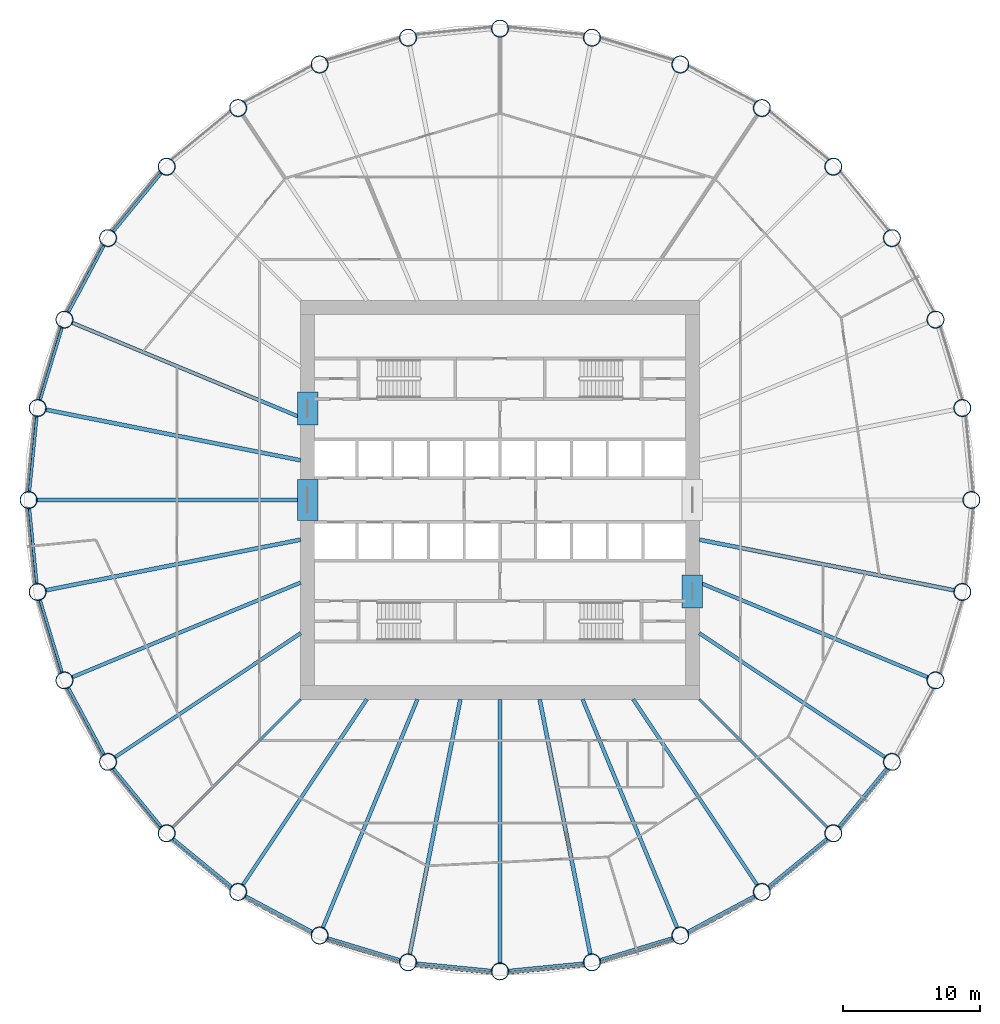
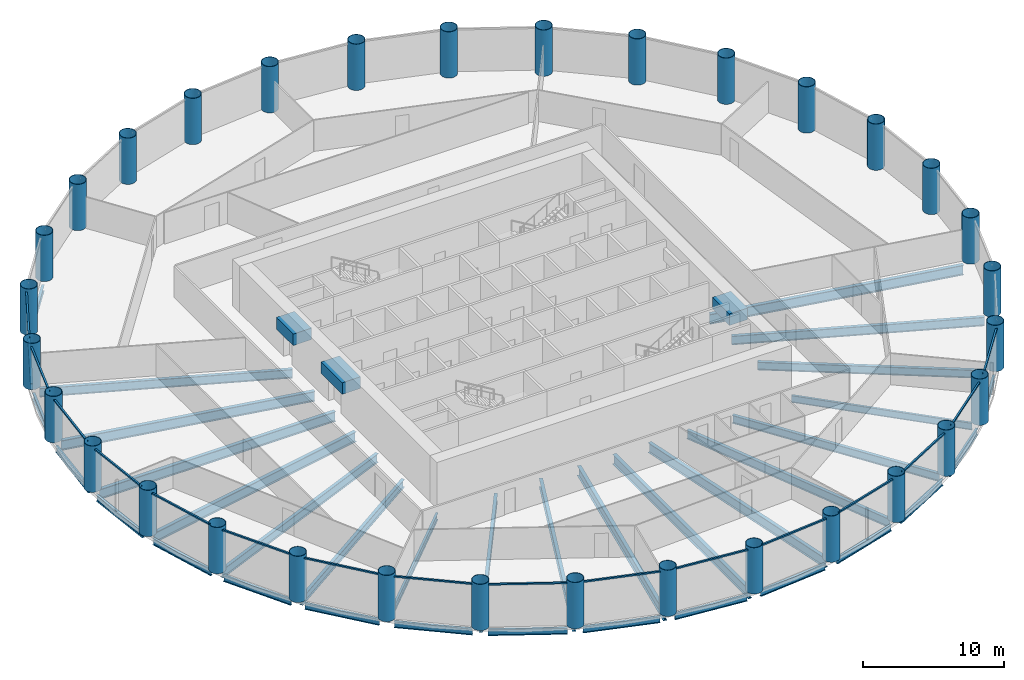
# One storey, part 1 of 8: 38 beams, 32 columns, 16 members, 16 elements without a shape of their own.
"""IFC4 building model written with IfcOpenShell, lengths in metres."""

from ifc_helpers import new_model, si_unit, direction, frame, origin, origin_2d, place, context, subcontext, project, spatial, rectangle, hollow_circle, i_section, extrude, material, material_profile, profile_set, type_object, element, aggregate, save


model = new_model("IFC4")

# Units and contexts
model_context = context("Model", 3, precision=1e-05, world=origin(), true_north=direction((0.0, 1.0)))
body_context = subcontext(model_context, "Body", "Model", "MODEL_VIEW")
ifc_project = project(units=[si_unit("LENGTHUNIT", "METRE"), si_unit("AREAUNIT", "SQUARE_METRE"), si_unit("VOLUMEUNIT", "CUBIC_METRE"), si_unit("PLANEANGLEUNIT", "RADIAN"), si_unit("MASSUNIT", "GRAM", prefix="KILO")], contexts=[model_context])

# Site, building, storey
site_placement = place(None, origin())
site = spatial("IfcSite", under=ifc_project, at=site_placement, CompositionType="ELEMENT")
building_placement = place(site_placement, origin())
building = spatial("IfcBuilding", under=site, at=building_placement, Name="Corvane Civic Tower", CompositionType="ELEMENT")
storey_placement = place(building_placement, frame((0.0, 0.0, 94.5)))
storey = spatial("IfcBuildingStorey", under=building, at=storey_placement, Name="L21", CompositionType="ELEMENT", Elevation=94.5)

# Columns
ifc_material_1 = material(Name="Steel ASTM A572 Gr 50", Category="steel")
ifc_material_profile_1 = material_profile(ifc_material_1, hollow_circle(Radius=0.625, WallThickness=0.035888671875, at=origin_2d()), Name="CHS1250X36")
ifc_profile_set_1 = profile_set([ifc_material_profile_1], Name="Steel ASTM A572 Gr 50")
column_type = type_object("IfcColumnType", Name="COMPOSITE COLUMN CHS1250X36", PredefinedType="COLUMN", material=ifc_profile_set_1)
for number, where, z_axis, x_axis, name in (
    (1, (0.0, 34.300048828125, 0.0), (0.0, 0.0, 1.0), (1.0, 0.0, 0.0), "COL-L21-B01"),
    (2, (6.691650390625, 33.640869140625, 0.0), (0.0, 0.0, 1.0), (1.0, 0.0, 0.0), "COL-L21-B02"),
    (3, (13.1259765625, 31.68896484375, 0.0), (0.0, 0.0, 1.0), (1.0, 0.0, 0.0), "COL-L21-B03"),
    (4, (19.05615234375, 28.519287109375, 0.0), (0.0, 0.0, 1.0), (1.0, 0.0, 0.0), "COL-L21-B04"),
    (5, (24.253662109375, 24.253662109375, 0.0), (0.0, 0.0, 1.0), (1.0, 0.0, 0.0), "COL-L21-B05"),
    (6, (28.519287109375, 19.05615234375, 0.0), (0.0, 0.0, 1.0), (1.0, 0.0, 0.0), "COL-L21-B06"),
    (7, (31.68896484375, 13.1259765625, 0.0), (0.0, 0.0, 1.0), (1.0, 0.0, 0.0), "COL-L21-B07"),
    (8, (33.640869140625, 6.691650390625, 0.0), (0.0, 0.0, 1.0), (1.0, 0.0, 0.0), "COL-L21-B08"),
    (9, (34.300048828125, 0.0, 0.0), (0.0, 0.0, 1.0), (1.0, 0.0, 0.0), "COL-L21-B09"),
    (10, (33.640869140625, -6.691650390625, 0.0), (0.0, 0.0, 1.0), (1.0, 0.0, 0.0), "COL-L21-B10"),
    (11, (31.68896484375, -13.1259765625, 0.0), (0.0, 0.0, 1.0), (1.0, 0.0, 0.0), "COL-L21-B11"),
    (12, (28.519287109375, -19.05615234375, 0.0), (0.0, 0.0, 1.0), (1.0, 0.0, 0.0), "COL-L21-B12"),
    (13, (24.253662109375, -24.253662109375, 0.0), (0.0, 0.0, 1.0), (1.0, 0.0, 0.0), "COL-L21-B13"),
    (14, (19.05615234375, -28.519287109375, 0.0), (0.0, 0.0, 1.0), (1.0, 0.0, 0.0), "COL-L21-B14"),
    (15, (13.1259765625, -31.68896484375, 0.0), (0.0, 0.0, 1.0), (1.0, 0.0, 0.0), "COL-L21-B15"),
    (16, (6.691650390625, -33.640869140625, 0.0), (0.0, 0.0, 1.0), (1.0, 0.0, 0.0), "COL-L21-B16"),
    (17, (0.0, -34.300048828125, 0.0), (0.0, 0.0, 1.0), (1.0, 0.0, 0.0), "COL-L21-B17"),
    (18, (-6.691650390625, -33.640869140625, 0.0), (0.0, 0.0, 1.0), (1.0, 0.0, 0.0), "COL-L21-B18"),
    (19, (-13.1259765625, -31.68896484375, 0.0), (0.0, 0.0, 1.0), (1.0, 0.0, 0.0), "COL-L21-B19"),
    (20, (-19.05615234375, -28.519287109375, 0.0), (0.0, 0.0, 1.0), (1.0, 0.0, 0.0), "COL-L21-B20"),
    (21, (-24.253662109375, -24.253662109375, 0.0), (0.0, 0.0, 1.0), (1.0, 0.0, 0.0), "COL-L21-B21"),
    (22, (-28.519287109375, -19.05615234375, 0.0), (0.0, 0.0, 1.0), (1.0, 0.0, 0.0), "COL-L21-B22"),
    (23, (-31.68896484375, -13.1259765625, 0.0), (0.0, 0.0, 1.0), (1.0, 0.0, 0.0), "COL-L21-B23"),
    (24, (-33.640869140625, -6.691650390625, 0.0), (0.0, 0.0, 1.0), (1.0, 0.0, 0.0), "COL-L21-B24"),
    (25, (-34.300048828125, 0.0, 0.0), (0.0, 0.0, 1.0), (1.0, 0.0, 0.0), "COL-L21-B25"),
    (26, (-33.640869140625, 6.691650390625, 0.0), (0.0, 0.0, 1.0), (1.0, 0.0, 0.0), "COL-L21-B26"),
    (27, (-31.68896484375, 13.1259765625, 0.0), (0.0, 0.0, 1.0), (1.0, 0.0, 0.0), "COL-L21-B27"),
    (28, (-28.519287109375, 19.05615234375, 0.0), (0.0, 0.0, 1.0), (1.0, 0.0, 0.0), "COL-L21-B28"),
    (29, (-24.253662109375, 24.253662109375, 0.0), (0.0, 0.0, 1.0), (1.0, 0.0, 0.0), "COL-L21-B29"),
    (30, (-19.05615234375, 28.519287109375, 0.0), (0.0, 0.0, 1.0), (1.0, 0.0, 0.0), "COL-L21-B30"),
    (31, (-13.1259765625, 31.68896484375, 0.0), (0.0, 0.0, 1.0), (1.0, 0.0, 0.0), "COL-L21-B31"),
    (32, (-6.691650390625, 33.640869140625, 0.0), (0.0, 0.0, 1.0), (1.0, 0.0, 0.0), "COL-L21-B32"),
):
    element("IfcColumn", number, at=place(storey_placement, frame(where, z_axis=z_axis, x_axis=x_axis)), inside=storey, type_object=column_type, Name=name, PredefinedType="COLUMN", context=body_context, shape_type="SweptSolid", body=[
        extrude(hollow_circle(Radius=0.625, WallThickness=0.035888671875, at=origin_2d()), origin(), (0.0, 0.0, 1.0), 4.0),
    ])

# Beams
ifc_material_2 = material(Name="Concrete C70/85", Category="concrete")
ifc_material_profile_2 = material_profile(ifc_material_2, rectangle(XDim=1.5, YDim=1.0, at=origin_2d()), Name="COUPLING BEAM 1500X1000")
ifc_profile_set_2 = profile_set([ifc_material_profile_2], Name="Concrete C70/85")
beam_type_1 = type_object("IfcBeamType", Name="COUPLING BEAM COUPLING BEAM 1500X1000", PredefinedType="BEAM", material=ifc_profile_set_2)
beam_1_placement = place(storey_placement, frame((-14.0, -1.5, 2.60009765625), z_axis=(0.0, 1.0, 0.0), x_axis=(-1.0, 0.0, 0.0)))
element("IfcBeam", 33, at=beam_1_placement, inside=storey, type_object=beam_type_1, Name="BM-L21-cpl-CW-LW", PredefinedType="BEAM", context=body_context, shape_type="SweptSolid", body=[
    extrude(rectangle(XDim=1.5, YDim=1.0, at=origin_2d()), origin(), (0.0, 0.0, 1.0), 3.0),
])
for number, where, z_axis, x_axis, name in (
    (34, (-14.0, 5.449951171875, 2.60009765625), (0.0, 1.0, 0.0), (-1.0, 0.0, 0.0), "BM-L21-cpl-CW-WN"),
    (35, (14.0, -7.85009765625, 2.60009765625), (0.0, 1.0, 0.0), (-1.0, 0.0, 0.0), "BM-L21-cpl-CW-ES"),
):
    element("IfcBeam", number, at=place(storey_placement, frame(where, z_axis=z_axis, x_axis=x_axis)), inside=storey, type_object=beam_type_1, Name=name, PredefinedType="BEAM", context=body_context, shape_type="SweptSolid", body=[
        extrude(rectangle(XDim=1.5, YDim=1.0, at=origin_2d()), origin(), (0.0, 0.0, 1.0), 2.400146484375),
    ])
ifc_material_3 = material(Name="Steel ASTM A992 Gr 50", Category="steel")
ifc_material_profile_3 = material_profile(ifc_material_3, i_section(OverallWidth=0.209228515625, OverallDepth=0.533447265625, WebThickness=0.01025390625, FlangeThickness=0.015625, at=origin_2d()), Name="W21X62")
ifc_profile_set_3 = profile_set([ifc_material_profile_3], Name="Steel ASTM A992 Gr 50")
beam_type_2 = type_object("IfcBeamType", Name="EDGE BEAM W21X62", PredefinedType="BEAM", material=ifc_profile_set_3)
for number, where, z_axis, x_axis, name in (
    (36, (28.17041015625, -19.481201171875, -0.566650390625), (-0.634397765782, -0.773006775372, 0.0), (0.773006775372, -0.634397765782, 0.0), "BM-L21-E12"),
    (37, (23.82861328125, -24.6025390625, -0.566650390625), (-0.773006775372, -0.634397765782, 0.0), (0.634397765782, -0.773006775372, 0.0), "BM-L21-E13"),
    (38, (18.571044921875, -28.778564453125, -0.566650390625), (-0.88192357867, -0.471392407008, 0.0), (0.471392407008, -0.88192357867, 0.0), "BM-L21-E14"),
):
    element("IfcBeam", number, at=place(storey_placement, frame(where, z_axis=z_axis, x_axis=x_axis)), inside=storey, type_object=beam_type_2, Name=name, PredefinedType="BEAM", context=body_context, shape_type="SweptSolid", body=[
        extrude(i_section(OverallWidth=0.209228515625, OverallDepth=0.533447265625, WebThickness=0.01025390625, FlangeThickness=0.015625, at=origin_2d()), origin(), (0.0, 0.0, 1.0), 5.6240234375),
    ])
beam_2_placement = place(storey_placement, frame((12.599609375, -31.8486328125, -0.566650390625), z_axis=(-0.956936367498, -0.290297758448, 0.0), x_axis=(0.290297758448, -0.956936367498, 0.0)))
element("IfcBeam", 39, at=beam_2_placement, inside=storey, type_object=beam_type_2, Name="BM-L21-E15", PredefinedType="BEAM", context=body_context, shape_type="SweptSolid", body=[
    extrude(i_section(OverallWidth=0.209228515625, OverallDepth=0.533447265625, WebThickness=0.01025390625, FlangeThickness=0.015625, at=origin_2d()), origin(), (0.0, 0.0, 1.0), 5.623779296875),
])
for number, where, z_axis, x_axis, name in (
    (40, (6.144287109375, -33.69482421875, -0.566650390625), (-0.995184368522, -0.098020776625, 0.0), (0.098020776625, -0.995184368522, 0.0), "BM-L21-E16"),
    (41, (-0.54736328125, -34.24609375, -0.566650390625), (-0.995184368522, 0.098020776625, 0.0), (-0.098020776625, -0.995184368522, 0.0), "BM-L21-E17"),
):
    element("IfcBeam", number, at=place(storey_placement, frame(where, z_axis=z_axis, x_axis=x_axis)), inside=storey, type_object=beam_type_2, Name=name, PredefinedType="BEAM", context=body_context, shape_type="SweptSolid", body=[
        extrude(i_section(OverallWidth=0.209228515625, OverallDepth=0.533447265625, WebThickness=0.01025390625, FlangeThickness=0.015625, at=origin_2d()), origin(), (0.0, 0.0, 1.0), 5.6240234375),
    ])
beam_3_placement = place(storey_placement, frame((-7.218017578125, -33.481201171875, -0.566650390625), z_axis=(-0.956936367498, 0.290297758448, 0.0), x_axis=(-0.290297758448, -0.956936367498, 0.0)))
element("IfcBeam", 42, at=beam_3_placement, inside=storey, type_object=beam_type_2, Name="BM-L21-E18", PredefinedType="BEAM", context=body_context, shape_type="SweptSolid", body=[
    extrude(i_section(OverallWidth=0.209228515625, OverallDepth=0.533447265625, WebThickness=0.01025390625, FlangeThickness=0.015625, at=origin_2d()), origin(), (0.0, 0.0, 1.0), 5.623779296875),
])
for number, where, z_axis, x_axis, name in (
    (43, (-13.611083984375, -31.4296875, -0.566650390625), (-0.88192357867, 0.471392407008, 0.0), (-0.471392407008, -0.88192357867, 0.0), "BM-L21-E19"),
    (44, (-19.481201171875, -28.17041015625, -0.566650390625), (-0.773006775372, 0.634397765782, 0.0), (-0.634397765782, -0.773006775372, 0.0), "BM-L21-E20"),
    (45, (-24.6025390625, -23.82861328125, -0.566650390625), (-0.634397765782, 0.773006775372, 0.0), (-0.773006775372, -0.634397765782, 0.0), "BM-L21-E21"),
    (46, (-28.778564453125, -18.571044921875, -0.566650390625), (-0.471392407008, 0.88192357867, 0.0), (-0.88192357867, -0.471392407008, 0.0), "BM-L21-E22"),
):
    element("IfcBeam", number, at=place(storey_placement, frame(where, z_axis=z_axis, x_axis=x_axis)), inside=storey, type_object=beam_type_2, Name=name, PredefinedType="BEAM", context=body_context, shape_type="SweptSolid", body=[
        extrude(i_section(OverallWidth=0.209228515625, OverallDepth=0.533447265625, WebThickness=0.01025390625, FlangeThickness=0.015625, at=origin_2d()), origin(), (0.0, 0.0, 1.0), 5.6240234375),
    ])
beam_4_placement = place(storey_placement, frame((-31.8486328125, -12.599609375, -0.566650390625), z_axis=(-0.290297758448, 0.956936367498, 0.0), x_axis=(-0.956936367498, -0.290297758448, 0.0)))
element("IfcBeam", 47, at=beam_4_placement, inside=storey, type_object=beam_type_2, Name="BM-L21-E23", PredefinedType="BEAM", context=body_context, shape_type="SweptSolid", body=[
    extrude(i_section(OverallWidth=0.209228515625, OverallDepth=0.533447265625, WebThickness=0.01025390625, FlangeThickness=0.015625, at=origin_2d()), origin(), (0.0, 0.0, 1.0), 5.623779296875),
])
for number, where, z_axis, x_axis, name in (
    (48, (-33.69482421875, -6.144287109375, -0.566650390625), (-0.098020776625, 0.995184368522, 0.0), (-0.995184368522, -0.098020776625, 0.0), "BM-L21-E24"),
    (49, (-34.24609375, 0.54736328125, -0.566650390625), (0.098020776625, 0.995184368522, 0.0), (-0.995184368522, 0.098020776625, 0.0), "BM-L21-E25"),
):
    element("IfcBeam", number, at=place(storey_placement, frame(where, z_axis=z_axis, x_axis=x_axis)), inside=storey, type_object=beam_type_2, Name=name, PredefinedType="BEAM", context=body_context, shape_type="SweptSolid", body=[
        extrude(i_section(OverallWidth=0.209228515625, OverallDepth=0.533447265625, WebThickness=0.01025390625, FlangeThickness=0.015625, at=origin_2d()), origin(), (0.0, 0.0, 1.0), 5.6240234375),
    ])
beam_5_placement = place(storey_placement, frame((-33.481201171875, 7.218017578125, -0.566650390625), z_axis=(0.290297758448, 0.956936367498, 0.0), x_axis=(-0.956936367498, 0.290297758448, 0.0)))
element("IfcBeam", 50, at=beam_5_placement, inside=storey, type_object=beam_type_2, Name="BM-L21-E26", PredefinedType="BEAM", context=body_context, shape_type="SweptSolid", body=[
    extrude(i_section(OverallWidth=0.209228515625, OverallDepth=0.533447265625, WebThickness=0.01025390625, FlangeThickness=0.015625, at=origin_2d()), origin(), (0.0, 0.0, 1.0), 5.623779296875),
])
for number, where, z_axis, x_axis, name in (
    (51, (-31.4296875, 13.611083984375, -0.566650390625), (0.471392407008, 0.88192357867, 0.0), (-0.88192357867, 0.471392407008, 0.0), "BM-L21-E27"),
    (52, (-28.17041015625, 19.481201171875, -0.566650390625), (0.634397765782, 0.773006775372, 0.0), (-0.773006775372, 0.634397765782, 0.0), "BM-L21-E28"),
):
    element("IfcBeam", number, at=place(storey_placement, frame(where, z_axis=z_axis, x_axis=x_axis)), inside=storey, type_object=beam_type_2, Name=name, PredefinedType="BEAM", context=body_context, shape_type="SweptSolid", body=[
        extrude(i_section(OverallWidth=0.209228515625, OverallDepth=0.533447265625, WebThickness=0.01025390625, FlangeThickness=0.015625, at=origin_2d()), origin(), (0.0, 0.0, 1.0), 5.6240234375),
    ])
ifc_material_4 = material(Name="Steel ASTM A992 Gr 50", Category="steel")
ifc_material_profile_4 = material_profile(ifc_material_4, i_section(OverallWidth=0.177978515625, OverallDepth=0.599365234375, WebThickness=0.010009765625, FlangeThickness=0.012939453125, at=origin_2d()), Name="W24X55")
ifc_profile_set_4 = profile_set([ifc_material_profile_4], Name="Steel ASTM A992 Gr 50")
beam_type_3 = type_object("IfcBeamType", Name="FLOOR GIRDER W24X55", PredefinedType="BEAM", material=ifc_profile_set_4)
for number, where, z_axis, x_axis, name in (
    (53, (14.5, -14.5, -0.599609375), (0.707106781187, -0.707106781187, 0.0), (0.707106781187, 0.707106781187, 0.0), "BM-L21-G13"),
    (54, (-14.5, -14.5, -0.599609375), (-0.707106781187, -0.707106781187, 0.0), (0.707106781187, -0.707106781187, 0.0), "BM-L21-G21"),
):
    element("IfcBeam", number, at=place(storey_placement, frame(where, z_axis=z_axis, x_axis=x_axis)), inside=storey, type_object=beam_type_3, Name=name, PredefinedType="BEAM", context=body_context, shape_type="SweptSolid", body=[
        extrude(i_section(OverallWidth=0.177978515625, OverallDepth=0.599365234375, WebThickness=0.010009765625, FlangeThickness=0.012939453125, at=origin_2d()), origin(), (0.0, 0.0, 1.0), 13.24365234375),
    ])
ifc_material_5 = material(Name="Steel ASTM A992 Gr 50", Category="steel")
ifc_material_profile_5 = material_profile(ifc_material_5, i_section(OverallWidth=0.256591796875, OverallDepth=0.693359375, WebThickness=0.014404296875, FlangeThickness=0.023681640625, at=origin_2d()), Name="W27X114")
ifc_profile_set_5 = profile_set([ifc_material_profile_5], Name="Steel ASTM A992 Gr 50")
beam_type_4 = type_object("IfcBeamType", Name="FLOOR GIRDER W27X114", PredefinedType="BEAM", material=ifc_profile_set_5)
for number, where, z_axis, x_axis, name in (
    (55, (14.5, -9.6884765625, -0.646728515625), (0.83146493365, -0.555577235054, 0.0), (0.555577235054, 0.83146493365, 0.0), "BM-L21-G12"),
    (56, (9.6884765625, -14.5, -0.646728515625), (0.555577235054, -0.83146493365, 0.0), (0.83146493365, 0.555577235054, 0.0), "BM-L21-G14"),
    (57, (-9.6884765625, -14.5, -0.646728515625), (-0.555577235054, -0.83146493365, 0.0), (0.83146493365, -0.555577235054, 0.0), "BM-L21-G20"),
    (58, (-14.5, -9.6884765625, -0.646728515625), (-0.83146493365, -0.555577235054, 0.0), (0.555577235054, -0.83146493365, 0.0), "BM-L21-G22"),
):
    element("IfcBeam", number, at=place(storey_placement, frame(where, z_axis=z_axis, x_axis=x_axis)), inside=storey, type_object=beam_type_4, Name=name, PredefinedType="BEAM", context=body_context, shape_type="SweptSolid", body=[
        extrude(i_section(OverallWidth=0.256591796875, OverallDepth=0.693359375, WebThickness=0.014404296875, FlangeThickness=0.023681640625, at=origin_2d()), origin(), (0.0, 0.0, 1.0), 16.31103515625),
    ])
ifc_material_6 = material(Name="Steel ASTM A992 Gr 50", Category="steel")
ifc_material_profile_6 = material_profile(ifc_material_6, i_section(OverallWidth=0.2666015625, OverallDepth=0.7568359375, WebThickness=0.013916015625, FlangeThickness=0.019287109375, at=origin_2d()), Name="W30X108")
ifc_profile_set_6 = profile_set([ifc_material_profile_6], Name="Steel ASTM A992 Gr 50")
beam_type_5 = type_object("IfcBeamType", Name="FLOOR GIRDER W30X108", PredefinedType="BEAM", material=ifc_profile_set_6)
for number, where, z_axis, x_axis, name in (
    (59, (14.5, -6.006103515625, -0.678466796875), (0.923880209691, -0.382681797504, 0.0), (0.382681797504, 0.923880209691, 0.0), "BM-L21-G11"),
    (60, (6.006103515625, -14.5, -0.678466796875), (0.382681797504, -0.923880209691, 0.0), (0.923880209691, 0.382681797504, 0.0), "BM-L21-G15"),
    (61, (-6.006103515625, -14.5, -0.678466796875), (-0.382681797504, -0.923880209691, 0.0), (0.923880209691, -0.382681797504, 0.0), "BM-L21-G19"),
    (62, (-14.5, -6.006103515625, -0.678466796875), (-0.923880209691, -0.382681797504, 0.0), (0.382681797504, -0.923880209691, 0.0), "BM-L21-G23"),
    (63, (-14.5, 6.006103515625, -0.678466796875), (-0.923880209691, 0.382681797504, 0.0), (-0.382681797504, -0.923880209691, 0.0), "BM-L21-G27"),
):
    element("IfcBeam", number, at=place(storey_placement, frame(where, z_axis=z_axis, x_axis=x_axis)), inside=storey, type_object=beam_type_5, Name=name, PredefinedType="BEAM", context=body_context, shape_type="SweptSolid", body=[
        extrude(i_section(OverallWidth=0.2666015625, OverallDepth=0.7568359375, WebThickness=0.013916015625, FlangeThickness=0.019287109375, at=origin_2d()), origin(), (0.0, 0.0, 1.0), 18.05517578125),
    ])
ifc_material_7 = material(Name="Steel ASTM A992 Gr 50", Category="steel")
ifc_material_profile_7 = material_profile(ifc_material_7, i_section(OverallWidth=0.2919921875, OverallDepth=0.8583984375, WebThickness=0.01708984375, FlangeThickness=0.031005859375, at=origin_2d()), Name="W33X169")
ifc_profile_set_7 = profile_set([ifc_material_profile_7], Name="Steel ASTM A992 Gr 50")
beam_type_6 = type_object("IfcBeamType", Name="FLOOR GIRDER W33X169", PredefinedType="BEAM", material=ifc_profile_set_7)
for number, where, z_axis, x_axis, name in (
    (64, (14.5, -2.88427734375, -0.729248046875), (0.9807865885, -0.195083745652, 0.0), (0.195083745652, 0.9807865885, 0.0), "BM-L21-G10"),
    (65, (2.88427734375, -14.5, -0.729248046875), (0.195083745652, -0.9807865885, 0.0), (0.9807865885, 0.195083745652, 0.0), "BM-L21-G16"),
):
    element("IfcBeam", number, at=place(storey_placement, frame(where, z_axis=z_axis, x_axis=x_axis)), inside=storey, type_object=beam_type_6, Name=name, PredefinedType="BEAM", context=body_context, shape_type="SweptSolid", body=[
        extrude(i_section(OverallWidth=0.2919921875, OverallDepth=0.8583984375, WebThickness=0.01708984375, FlangeThickness=0.031005859375, at=origin_2d()), origin(), (0.0, 0.0, 1.0), 18.966064453125),
    ])
beam_6_placement = place(storey_placement, frame((0.0, -14.5, -0.729248046875), z_axis=(0.0, -1.0, 0.0), x_axis=(1.0, 0.0, 0.0)))
element("IfcBeam", 66, at=beam_6_placement, inside=storey, type_object=beam_type_6, Name="BM-L21-G17", PredefinedType="BEAM", context=body_context, shape_type="SweptSolid", body=[
    extrude(i_section(OverallWidth=0.2919921875, OverallDepth=0.8583984375, WebThickness=0.01708984375, FlangeThickness=0.031005859375, at=origin_2d()), origin(), (0.0, 0.0, 1.0), 19.25),
])
for number, where, z_axis, x_axis, name in (
    (67, (-2.88427734375, -14.5, -0.729248046875), (-0.195083745652, -0.9807865885, 0.0), (0.9807865885, -0.195083745652, 0.0), "BM-L21-G18"),
    (68, (-14.5, -2.88427734375, -0.729248046875), (-0.9807865885, -0.195083745652, 0.0), (0.195083745652, -0.9807865885, 0.0), "BM-L21-G24"),
):
    element("IfcBeam", number, at=place(storey_placement, frame(where, z_axis=z_axis, x_axis=x_axis)), inside=storey, type_object=beam_type_6, Name=name, PredefinedType="BEAM", context=body_context, shape_type="SweptSolid", body=[
        extrude(i_section(OverallWidth=0.2919921875, OverallDepth=0.8583984375, WebThickness=0.01708984375, FlangeThickness=0.031005859375, at=origin_2d()), origin(), (0.0, 0.0, 1.0), 18.966064453125),
    ])
beam_7_placement = place(storey_placement, frame((-14.5, 0.0, -0.729248046875), z_axis=(-1.0, 0.0, 0.0), x_axis=(0.0, -1.0, 0.0)))
element("IfcBeam", 69, at=beam_7_placement, inside=storey, type_object=beam_type_6, Name="BM-L21-G25", PredefinedType="BEAM", context=body_context, shape_type="SweptSolid", body=[
    extrude(i_section(OverallWidth=0.2919921875, OverallDepth=0.8583984375, WebThickness=0.01708984375, FlangeThickness=0.031005859375, at=origin_2d()), origin(), (0.0, 0.0, 1.0), 19.25),
])
beam_8_placement = place(storey_placement, frame((-14.5, 2.88427734375, -0.729248046875), z_axis=(-0.9807865885, 0.195083745652, 0.0), x_axis=(-0.195083745652, -0.9807865885, 0.0)))
element("IfcBeam", 70, at=beam_8_placement, inside=storey, type_object=beam_type_6, Name="BM-L21-G26", PredefinedType="BEAM", context=body_context, shape_type="SweptSolid", body=[
    extrude(i_section(OverallWidth=0.2919921875, OverallDepth=0.8583984375, WebThickness=0.01708984375, FlangeThickness=0.031005859375, at=origin_2d()), origin(), (0.0, 0.0, 1.0), 18.966064453125),
])

# Curtain wall, member
ifc_material_8 = material(Name="Anodised aluminium bronze", Category="aluminium")
curtain_wall_type = type_object("IfcCurtainWallType", Name="TOWER CW-T1 STICK CURTAIN WALL", PredefinedType="NOTDEFINED", material=ifc_material_8)
curtain_wall_1_placement = place(storey_placement, origin())
curtain_wall_1 = element("IfcCurtainWall", 71, at=curtain_wall_1_placement, inside=storey, type_object=curtain_wall_type, Name="Curtain wall CW-T1 L21 bay 12", PredefinedType="NOTDEFINED")
ifc_material_9 = material(Name="Anodised aluminium bronze", Category="aluminium")
ifc_material_profile_8 = material_profile(ifc_material_9, rectangle(XDim=0.139892578125, YDim=0.1201171875, at=origin_2d()), Name="TOWER CW-T1 TRANSOM 140x120")
ifc_profile_set_8 = profile_set([ifc_material_profile_8], Name="Anodised aluminium bronze")
member_type = type_object("IfcMemberType", Name="TOWER CW-T1 TRANSOM 140x120", PredefinedType="USERDEFINED", material=ifc_profile_set_8)
member_1_placement = place(storey_placement, frame((28.297119140625, -19.609619140625, 3.68994140625), z_axis=(-0.634410369295, -0.772996431642, 0.0), x_axis=(0.772996431642, -0.634410369295, 0.0)))
member_1 = element("IfcMember", 72, at=member_1_placement, type_object=member_type, Name="Transom CW-T1 L21 12.1", ObjectType="TRANSOM", PredefinedType="USERDEFINED", context=body_context, shape_type="SweptSolid", body=[
    extrude(rectangle(XDim=0.139892578125, YDim=0.1201171875, at=origin_2d()), origin(), (0.0, 0.0, 1.0), 5.586181640625),
])
aggregate(curtain_wall_1, [member_1])

curtain_wall_2_placement = place(storey_placement, origin())
curtain_wall_2 = element("IfcCurtainWall", 73, at=curtain_wall_2_placement, inside=storey, type_object=curtain_wall_type, Name="Curtain wall CW-T1 L21 bay 13", PredefinedType="NOTDEFINED")
member_2_placement = place(storey_placement, frame((23.927734375, -24.753173828125, 3.68994140625), z_axis=(-0.772996431642, -0.634410369295, 0.0), x_axis=(0.634410369295, -0.772996431642, 0.0)))
member_2 = element("IfcMember", 74, at=member_2_placement, type_object=member_type, Name="Transom CW-T1 L21 13.1", ObjectType="TRANSOM", PredefinedType="USERDEFINED", context=body_context, shape_type="SweptSolid", body=[
    extrude(rectangle(XDim=0.139892578125, YDim=0.1201171875, at=origin_2d()), origin(), (0.0, 0.0, 1.0), 5.586181640625),
])
aggregate(curtain_wall_2, [member_2])

curtain_wall_3_placement = place(storey_placement, origin())
curtain_wall_3 = element("IfcCurtainWall", 75, at=curtain_wall_3_placement, inside=storey, type_object=curtain_wall_type, Name="Curtain wall CW-T1 L21 bay 14", PredefinedType="NOTDEFINED")
member_3_placement = place(storey_placement, frame((18.63916015625, -28.945556640625, 3.68994140625), z_axis=(-0.881920705407, -0.47139778253, 0.0), x_axis=(0.47139778253, -0.881920705407, 0.0)))
member_3 = element("IfcMember", 76, at=member_3_placement, type_object=member_type, Name="Transom CW-T1 L21 14.1", ObjectType="TRANSOM", PredefinedType="USERDEFINED", context=body_context, shape_type="SweptSolid", body=[
    extrude(rectangle(XDim=0.139892578125, YDim=0.1201171875, at=origin_2d()), origin(), (0.0, 0.0, 1.0), 5.586669921875),
])
aggregate(curtain_wall_3, [member_3])

curtain_wall_4_placement = place(storey_placement, origin())
curtain_wall_4 = element("IfcCurtainWall", 77, at=curtain_wall_4_placement, inside=storey, type_object=curtain_wall_type, Name="Curtain wall CW-T1 L21 bay 15", PredefinedType="NOTDEFINED")
member_4_placement = place(storey_placement, frame((12.6337890625, -32.025634765625, 3.68994140625), z_axis=(-0.956944977029, -0.290269376509, 0.0), x_axis=(0.290269376509, -0.956944977029, 0.0)))
member_4 = element("IfcMember", 78, at=member_4_placement, type_object=member_type, Name="Transom CW-T1 L21 15.1", ObjectType="TRANSOM", PredefinedType="USERDEFINED", context=body_context, shape_type="SweptSolid", body=[
    extrude(rectangle(XDim=0.139892578125, YDim=0.1201171875, at=origin_2d()), origin(), (0.0, 0.0, 1.0), 5.58642578125),
])
aggregate(curtain_wall_4, [member_4])

curtain_wall_5_placement = place(storey_placement, origin())
curtain_wall_5 = element("IfcCurtainWall", 79, at=curtain_wall_5_placement, inside=storey, type_object=curtain_wall_type, Name="Curtain wall CW-T1 L21 bay 16", PredefinedType="NOTDEFINED")
member_5_placement = place(storey_placement, frame((6.14306640625, -33.874755859375, 3.68994140625), z_axis=(-0.995179807033, -0.098067077419, 0.0), x_axis=(0.098067077419, -0.995179807033, 0.0)))
member_5 = element("IfcMember", 80, at=member_5_placement, type_object=member_type, Name="Transom CW-T1 L21 16.1", ObjectType="TRANSOM", PredefinedType="USERDEFINED", context=body_context, shape_type="SweptSolid", body=[
    extrude(rectangle(XDim=0.139892578125, YDim=0.1201171875, at=origin_2d()), origin(), (0.0, 0.0, 1.0), 5.58642578125),
])
aggregate(curtain_wall_5, [member_5])

curtain_wall_6_placement = place(storey_placement, origin())
curtain_wall_6 = element("IfcCurtainWall", 81, at=curtain_wall_6_placement, inside=storey, type_object=curtain_wall_type, Name="Curtain wall CW-T1 L21 bay 17", PredefinedType="NOTDEFINED")
member_6_placement = place(storey_placement, frame((-0.58349609375, -34.422607421875, 3.68994140625), z_axis=(-0.995179807033, 0.098067077419, 0.0), x_axis=(-0.098067077419, -0.995179807033, 0.0)))
member_6 = element("IfcMember", 82, at=member_6_placement, type_object=member_type, Name="Transom CW-T1 L21 17.1", ObjectType="TRANSOM", PredefinedType="USERDEFINED", context=body_context, shape_type="SweptSolid", body=[
    extrude(rectangle(XDim=0.139892578125, YDim=0.1201171875, at=origin_2d()), origin(), (0.0, 0.0, 1.0), 5.58642578125),
])
aggregate(curtain_wall_6, [member_6])

curtain_wall_7_placement = place(storey_placement, origin())
curtain_wall_7 = element("IfcCurtainWall", 83, at=curtain_wall_7_placement, inside=storey, type_object=curtain_wall_type, Name="Curtain wall CW-T1 L21 bay 18", PredefinedType="NOTDEFINED")
member_7_placement = place(storey_placement, frame((-7.287841796875, -33.647216796875, 3.68994140625), z_axis=(-0.956944977029, 0.290269376509, 0.0), x_axis=(-0.290269376509, -0.956944977029, 0.0)))
member_7 = element("IfcMember", 84, at=member_7_placement, type_object=member_type, Name="Transom CW-T1 L21 18.1", ObjectType="TRANSOM", PredefinedType="USERDEFINED", context=body_context, shape_type="SweptSolid", body=[
    extrude(rectangle(XDim=0.139892578125, YDim=0.1201171875, at=origin_2d()), origin(), (0.0, 0.0, 1.0), 5.58642578125),
])
aggregate(curtain_wall_7, [member_7])

curtain_wall_8_placement = place(storey_placement, origin())
curtain_wall_8 = element("IfcCurtainWall", 85, at=curtain_wall_8_placement, inside=storey, type_object=curtain_wall_type, Name="Curtain wall CW-T1 L21 bay 19", PredefinedType="NOTDEFINED")
member_8_placement = place(storey_placement, frame((-13.712158203125, -31.5791015625, 3.68994140625), z_axis=(-0.881920705407, 0.47139778253, 0.0), x_axis=(-0.47139778253, -0.881920705407, 0.0)))
member_8 = element("IfcMember", 86, at=member_8_placement, type_object=member_type, Name="Transom CW-T1 L21 19.1", ObjectType="TRANSOM", PredefinedType="USERDEFINED", context=body_context, shape_type="SweptSolid", body=[
    extrude(rectangle(XDim=0.139892578125, YDim=0.1201171875, at=origin_2d()), origin(), (0.0, 0.0, 1.0), 5.586669921875),
])
aggregate(curtain_wall_8, [member_8])

curtain_wall_9_placement = place(storey_placement, origin())
curtain_wall_9 = element("IfcCurtainWall", 87, at=curtain_wall_9_placement, inside=storey, type_object=curtain_wall_type, Name="Curtain wall CW-T1 L21 bay 20", PredefinedType="NOTDEFINED")
member_9_placement = place(storey_placement, frame((-19.609619140625, -28.297119140625, 3.68994140625), z_axis=(-0.772996431642, 0.634410369295, 0.0), x_axis=(-0.634410369295, -0.772996431642, 0.0)))
member_9 = element("IfcMember", 88, at=member_9_placement, type_object=member_type, Name="Transom CW-T1 L21 20.1", ObjectType="TRANSOM", PredefinedType="USERDEFINED", context=body_context, shape_type="SweptSolid", body=[
    extrude(rectangle(XDim=0.139892578125, YDim=0.1201171875, at=origin_2d()), origin(), (0.0, 0.0, 1.0), 5.586181640625),
])
aggregate(curtain_wall_9, [member_9])

curtain_wall_10_placement = place(storey_placement, origin())
curtain_wall_10 = element("IfcCurtainWall", 89, at=curtain_wall_10_placement, inside=storey, type_object=curtain_wall_type, Name="Curtain wall CW-T1 L21 bay 21", PredefinedType="NOTDEFINED")
member_10_placement = place(storey_placement, frame((-24.753173828125, -23.927734375, 3.68994140625), z_axis=(-0.634410369295, 0.772996431642, 0.0), x_axis=(-0.772996431642, -0.634410369295, 0.0)))
member_10 = element("IfcMember", 90, at=member_10_placement, type_object=member_type, Name="Transom CW-T1 L21 21.1", ObjectType="TRANSOM", PredefinedType="USERDEFINED", context=body_context, shape_type="SweptSolid", body=[
    extrude(rectangle(XDim=0.139892578125, YDim=0.1201171875, at=origin_2d()), origin(), (0.0, 0.0, 1.0), 5.586181640625),
])
aggregate(curtain_wall_10, [member_10])

curtain_wall_11_placement = place(storey_placement, origin())
curtain_wall_11 = element("IfcCurtainWall", 91, at=curtain_wall_11_placement, inside=storey, type_object=curtain_wall_type, Name="Curtain wall CW-T1 L21 bay 22", PredefinedType="NOTDEFINED")
member_11_placement = place(storey_placement, frame((-28.945556640625, -18.63916015625, 3.68994140625), z_axis=(-0.47139778253, 0.881920705407, 0.0), x_axis=(-0.881920705407, -0.47139778253, 0.0)))
member_11 = element("IfcMember", 92, at=member_11_placement, type_object=member_type, Name="Transom CW-T1 L21 22.1", ObjectType="TRANSOM", PredefinedType="USERDEFINED", context=body_context, shape_type="SweptSolid", body=[
    extrude(rectangle(XDim=0.139892578125, YDim=0.1201171875, at=origin_2d()), origin(), (0.0, 0.0, 1.0), 5.586669921875),
])
aggregate(curtain_wall_11, [member_11])

curtain_wall_12_placement = place(storey_placement, origin())
curtain_wall_12 = element("IfcCurtainWall", 93, at=curtain_wall_12_placement, inside=storey, type_object=curtain_wall_type, Name="Curtain wall CW-T1 L21 bay 23", PredefinedType="NOTDEFINED")
member_12_placement = place(storey_placement, frame((-32.025634765625, -12.6337890625, 3.68994140625), z_axis=(-0.290269376509, 0.956944977029, 0.0), x_axis=(-0.956944977029, -0.290269376509, 0.0)))
member_12 = element("IfcMember", 94, at=member_12_placement, type_object=member_type, Name="Transom CW-T1 L21 23.1", ObjectType="TRANSOM", PredefinedType="USERDEFINED", context=body_context, shape_type="SweptSolid", body=[
    extrude(rectangle(XDim=0.139892578125, YDim=0.1201171875, at=origin_2d()), origin(), (0.0, 0.0, 1.0), 5.58642578125),
])
aggregate(curtain_wall_12, [member_12])

curtain_wall_13_placement = place(storey_placement, origin())
curtain_wall_13 = element("IfcCurtainWall", 95, at=curtain_wall_13_placement, inside=storey, type_object=curtain_wall_type, Name="Curtain wall CW-T1 L21 bay 24", PredefinedType="NOTDEFINED")
member_13_placement = place(storey_placement, frame((-33.874755859375, -6.14306640625, 3.68994140625), z_axis=(-0.098067077419, 0.995179807033, 0.0), x_axis=(-0.995179807033, -0.098067077419, 0.0)))
member_13 = element("IfcMember", 96, at=member_13_placement, type_object=member_type, Name="Transom CW-T1 L21 24.1", ObjectType="TRANSOM", PredefinedType="USERDEFINED", context=body_context, shape_type="SweptSolid", body=[
    extrude(rectangle(XDim=0.139892578125, YDim=0.1201171875, at=origin_2d()), origin(), (0.0, 0.0, 1.0), 5.58642578125),
])
aggregate(curtain_wall_13, [member_13])

curtain_wall_14_placement = place(storey_placement, origin())
curtain_wall_14 = element("IfcCurtainWall", 97, at=curtain_wall_14_placement, inside=storey, type_object=curtain_wall_type, Name="Curtain wall CW-T1 L21 bay 25", PredefinedType="NOTDEFINED")
member_14_placement = place(storey_placement, frame((-34.422607421875, 0.58349609375, 3.68994140625), z_axis=(0.098067077419, 0.995179807033, 0.0), x_axis=(-0.995179807033, 0.098067077419, 0.0)))
member_14 = element("IfcMember", 98, at=member_14_placement, type_object=member_type, Name="Transom CW-T1 L21 25.1", ObjectType="TRANSOM", PredefinedType="USERDEFINED", context=body_context, shape_type="SweptSolid", body=[
    extrude(rectangle(XDim=0.139892578125, YDim=0.1201171875, at=origin_2d()), origin(), (0.0, 0.0, 1.0), 5.58642578125),
])
aggregate(curtain_wall_14, [member_14])

curtain_wall_15_placement = place(storey_placement, origin())
curtain_wall_15 = element("IfcCurtainWall", 99, at=curtain_wall_15_placement, inside=storey, type_object=curtain_wall_type, Name="Curtain wall CW-T1 L21 bay 26", PredefinedType="NOTDEFINED")
member_15_placement = place(storey_placement, frame((-33.647216796875, 7.287841796875, 3.68994140625), z_axis=(0.290269376509, 0.956944977029, 0.0), x_axis=(-0.956944977029, 0.290269376509, 0.0)))
member_15 = element("IfcMember", 100, at=member_15_placement, type_object=member_type, Name="Transom CW-T1 L21 26.1", ObjectType="TRANSOM", PredefinedType="USERDEFINED", context=body_context, shape_type="SweptSolid", body=[
    extrude(rectangle(XDim=0.139892578125, YDim=0.1201171875, at=origin_2d()), origin(), (0.0, 0.0, 1.0), 5.58642578125),
])
aggregate(curtain_wall_15, [member_15])

curtain_wall_16_placement = place(storey_placement, origin())
curtain_wall_16 = element("IfcCurtainWall", 101, at=curtain_wall_16_placement, inside=storey, type_object=curtain_wall_type, Name="Curtain wall CW-T1 L21 bay 27", PredefinedType="NOTDEFINED")
member_16_placement = place(storey_placement, frame((-31.5791015625, 13.712158203125, 3.68994140625), z_axis=(0.47139778253, 0.881920705407, 0.0), x_axis=(-0.881920705407, 0.47139778253, 0.0)))
member_16 = element("IfcMember", 102, at=member_16_placement, type_object=member_type, Name="Transom CW-T1 L21 27.1", ObjectType="TRANSOM", PredefinedType="USERDEFINED", context=body_context, shape_type="SweptSolid", body=[
    extrude(rectangle(XDim=0.139892578125, YDim=0.1201171875, at=origin_2d()), origin(), (0.0, 0.0, 1.0), 5.586669921875),
])
aggregate(curtain_wall_16, [member_16])

save(model, "model.ifc")
